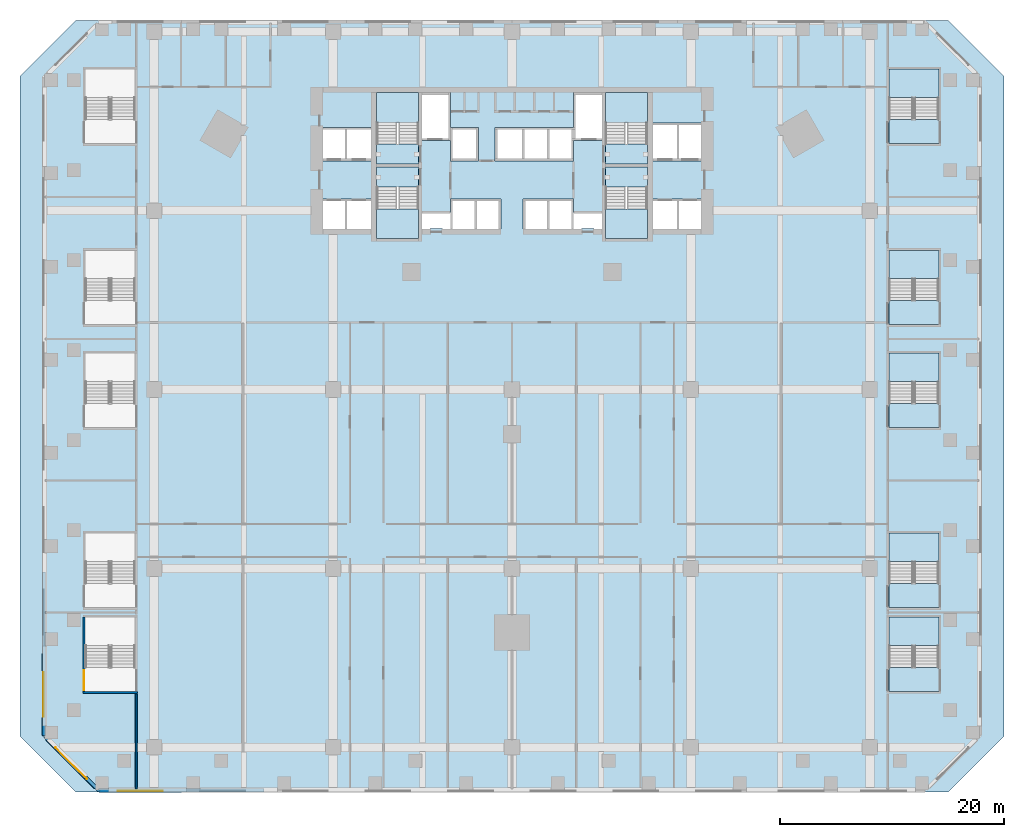
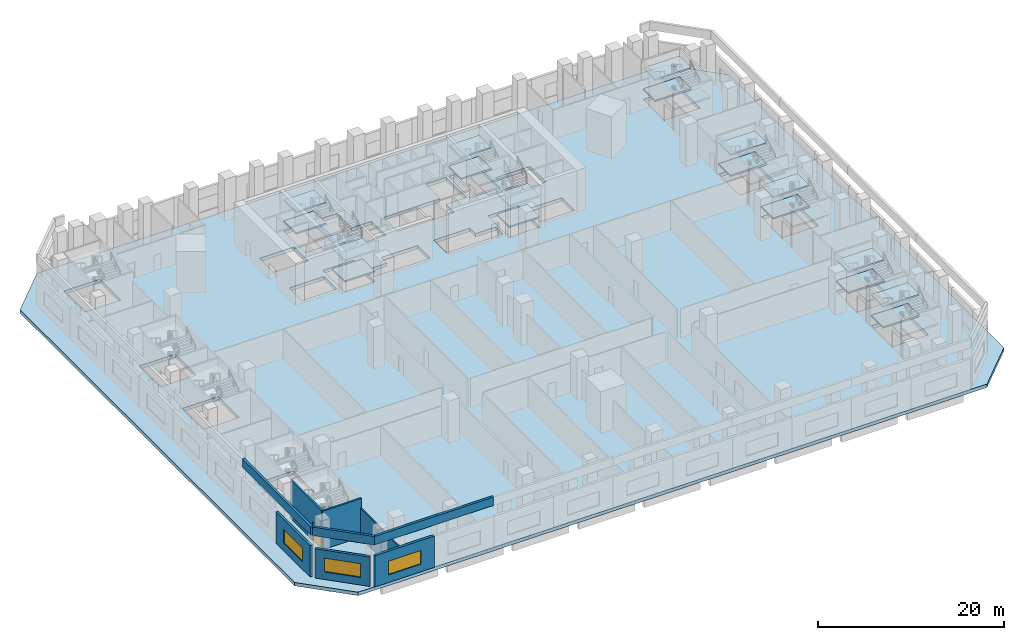
# One storey, part 3 of 22: 28 slabs, 9 walls, 3 windows, 1 door, 4 openings, 9 elements without a shape of their own.
"""IFC4 building model written with IfcOpenShell, lengths in metres."""

from ifc_helpers import new_model, si_unit, direction, frame, frame_2d, origin, place, context, subcontext, project, spatial, polyline, rectangle, outline, extrude, material, layer, layer_set, type_object, element, fill, aggregate, save


model = new_model("IFC4")

# Units and contexts
model_context = context("Model", 3, precision=1e-05, world=origin(), true_north=direction((0.0, 1.0)))
body_context = subcontext(model_context, "Body", "Model", "MODEL_VIEW")
ifc_project = project(units=[si_unit("LENGTHUNIT", "METRE"), si_unit("AREAUNIT", "SQUARE_METRE"), si_unit("VOLUMEUNIT", "CUBIC_METRE"), si_unit("PLANEANGLEUNIT", "RADIAN"), si_unit("MASSUNIT", "GRAM", prefix="KILO")], contexts=[model_context])

# Site, building, storey
site_placement = place(None, origin())
site = spatial("IfcSite", under=ifc_project, at=site_placement, CompositionType="ELEMENT")
building_placement = place(site_placement, origin())
building = spatial("IfcBuilding", under=site, at=building_placement, Name="Calabash Gate Tower", CompositionType="ELEMENT")
storey_placement = place(building_placement, frame((0.0, 0.0, 34.5)))
storey = spatial("IfcBuildingStorey", under=building, at=storey_placement, Name="L04", CompositionType="ELEMENT", Elevation=34.5)

# Slab
ifc_material_1 = material(Name="Concrete C40/50", Category="concrete")
ifc_layer_1 = layer(ifc_material_1, 0.449951171875)
ifc_layer_set_1 = layer_set([ifc_layer_1], Name="Reinforced concrete floor slab 450 Concrete C40/50")
slab_type_1 = type_object("IfcSlabType", Name="Reinforced concrete floor slab 450 Concrete C40/50", PredefinedType="FLOOR", material=ifc_layer_set_1)
slab_1_placement = place(storey_placement, frame((0.0, 0.0, -0.449951171875)))
element("IfcSlab", 1, at=slab_1_placement, inside=storey, type_object=slab_type_1, Name="Floor slab L04", PredefinedType="FLOOR", context=body_context, shape_type="SweptSolid", body=[
    extrude(outline(polyline([(39.0, -44.0), (37.0, -44.0), (-37.0, -44.0), (-39.0, -44.0), (-44.0, -39.0), (-44.0, 20.0), (-39.0, 25.0), (-37.0, 25.0), (37.0, 25.0), (39.0, 25.0), (44.0, 20.0), (44.0, -39.0), (39.0, -44.0)]), holes=[polyline([(-1.0, 6.3525390625), (-1.0, 9.052490234375), (-3.25, 9.052490234375), (-5.5, 9.052490234375), (-5.5, 7.8525390625), (-8.050048828125, 7.8525390625), (-8.050048828125, 6.3525390625), (-7.324951171875, 6.3525390625), (-7.324951171875, 6.402587890625), (-6.22509765625, 6.402587890625), (-6.22509765625, 6.3525390625), (-5.5, 6.3525390625), (-3.25, 6.3525390625), (-1.0, 6.3525390625)]), polyline([(8.050048828125, 6.3525390625), (8.050048828125, 7.8525390625), (5.5, 7.8525390625), (5.5, 9.052490234375), (3.25, 9.052490234375), (1.0, 9.052490234375), (1.0, 6.3525390625), (3.25, 6.3525390625), (5.5, 6.3525390625), (6.22509765625, 6.3525390625), (6.22509765625, 6.402587890625), (7.324951171875, 6.402587890625), (7.324951171875, 6.3525390625), (8.050048828125, 6.3525390625)]), polyline([(-3.0, 12.45263671875), (-3.0, 15.45263671875), (-5.5, 15.45263671875), (-5.5, 18.552490234375), (-8.050048828125, 18.552490234375), (-8.050048828125, 14.252685546875), (-5.5, 14.252685546875), (-5.5, 12.45263671875), (-3.0, 12.45263671875)]), polyline([(5.5, 14.252685546875), (8.050048828125, 14.252685546875), (8.050048828125, 18.552490234375), (5.5, 18.552490234375), (5.5, 15.45263671875), (3.25, 15.45263671875), (1.0, 15.45263671875), (-1.5, 15.45263671875), (-1.5, 12.45263671875), (1.0, 12.45263671875), (3.25, 12.45263671875), (5.5, 12.45263671875), (5.5, 14.252685546875)]), polyline([(-16.89990234375, 6.3525390625), (-14.85009765625, 6.3525390625), (-12.60009765625, 6.3525390625), (-12.60009765625, 9.052490234375), (-14.85009765625, 9.052490234375), (-16.89990234375, 9.052490234375), (-16.89990234375, 6.3525390625)]), polyline([(-16.89990234375, 15.45263671875), (-16.89990234375, 12.45263671875), (-14.85009765625, 12.45263671875), (-12.60009765625, 12.45263671875), (-12.60009765625, 15.45263671875), (-14.85009765625, 15.45263671875), (-16.89990234375, 15.45263671875)]), polyline([(12.60009765625, 9.052490234375), (12.60009765625, 6.3525390625), (14.85009765625, 6.3525390625), (16.89990234375, 6.3525390625), (16.89990234375, 9.052490234375), (14.85009765625, 9.052490234375), (12.60009765625, 9.052490234375)]), polyline([(12.60009765625, 15.8525390625), (12.60009765625, 12.45263671875), (14.85009765625, 12.45263671875), (16.89990234375, 12.45263671875), (16.89990234375, 15.8525390625), (14.85009765625, 15.8525390625), (12.60009765625, 15.8525390625)]), polyline([(-12.10009765625, 13.95263671875), (-8.35009765625, 13.95263671875), (-8.35009765625, 18.552490234375), (-12.10009765625, 18.552490234375), (-12.10009765625, 13.95263671875)]), polyline([(-8.35009765625, 5.502685546875), (-8.35009765625, 10.1025390625), (-12.10009765625, 10.1025390625), (-12.10009765625, 5.502685546875), (-8.35009765625, 5.502685546875)]), polyline([(12.10009765625, 18.552490234375), (8.35009765625, 18.552490234375), (8.35009765625, 13.95263671875), (12.10009765625, 13.95263671875), (12.10009765625, 18.552490234375)]), polyline([(8.35009765625, 10.1025390625), (8.35009765625, 5.502685546875), (12.10009765625, 5.502685546875), (12.10009765625, 10.1025390625), (8.35009765625, 10.1025390625)]), polyline([(-33.699951171875, -28.35009765625), (-38.169921875, -28.35009765625), (-38.169921875, -32.840087890625), (-33.699951171875, -32.840087890625), (-33.699951171875, -28.35009765625)]), polyline([(-33.699951171875, -25.340087890625), (-33.699951171875, -20.85009765625), (-38.169921875, -20.85009765625), (-38.169921875, -25.340087890625), (-33.699951171875, -25.340087890625)]), polyline([(-38.169921875, -9.239990234375), (-33.699951171875, -9.239990234375), (-33.699951171875, -4.75), (-38.169921875, -4.75), (-38.169921875, -9.239990234375)]), polyline([(-38.169921875, 4.449951171875), (-38.169921875, -0.0400390625), (-33.699951171875, -0.0400390625), (-33.699951171875, 4.449951171875), (-38.169921875, 4.449951171875)]), polyline([(-33.699951171875, 20.64990234375), (-38.169921875, 20.64990234375), (-38.169921875, 16.159912109375), (-33.699951171875, 16.159912109375), (-33.699951171875, 20.64990234375)]), polyline([(38.169921875, -32.840087890625), (38.169921875, -28.35009765625), (33.699951171875, -28.35009765625), (33.699951171875, -32.840087890625), (38.169921875, -32.840087890625)]), polyline([(33.699951171875, -25.340087890625), (38.169921875, -25.340087890625), (38.169921875, -20.85009765625), (33.699951171875, -20.85009765625), (33.699951171875, -25.340087890625)]), polyline([(33.699951171875, -4.75), (33.699951171875, -9.239990234375), (38.169921875, -9.239990234375), (38.169921875, -4.75), (33.699951171875, -4.75)]), polyline([(38.169921875, 4.449951171875), (33.699951171875, 4.449951171875), (33.699951171875, -0.0400390625), (38.169921875, -0.0400390625), (38.169921875, 4.449951171875)]), polyline([(38.169921875, 16.159912109375), (38.169921875, 20.64990234375), (33.699951171875, 20.64990234375), (33.699951171875, 16.159912109375), (38.169921875, 16.159912109375)])]), origin(), (0.0, 0.0, 1.0), 0.449951171875),
])

# Stair, slabs
ifc_material_2 = material(Name="Concrete C40/50", Category="concrete")
stair_type_1 = type_object("IfcStairType", Name="Exit stair 32 risers of 171.9 mm", PredefinedType="HALF_TURN_STAIR", material=ifc_material_2)
stair_1_placement = place(storey_placement, origin())
stair_1 = element("IfcStair", 2, at=stair_1_placement, inside=storey, type_object=stair_type_1, Name="L04 Exit stair ST1", PredefinedType="HALF_TURN_STAIR")
ifc_material_3 = material(Name="Concrete C40/50", Category="concrete")
ifc_layer_2 = layer(ifc_material_3, 0.199951171875)
ifc_layer_set_2 = layer_set([ifc_layer_2], Name="Stair landing SL200")
slab_type_2 = type_object("IfcSlabType", Name="Stair landing SL200", PredefinedType="LANDING", material=ifc_layer_set_2)
slab_2_placement = place(storey_placement, frame((0.0, 0.0, 1.175048828125)))
slab_2 = element("IfcSlab", 3, at=slab_2_placement, type_object=slab_type_2, Name="ST1 landing 1", PredefinedType="LANDING", context=body_context, shape_type="SweptSolid", body=[
    extrude(outline(polyline([(-8.35009765625, 15.905517578125), (-8.35009765625, 18.552490234375), (-12.10009765625, 18.552490234375), (-12.10009765625, 15.905517578125), (-8.35009765625, 15.905517578125)])), origin(), (0.0, 0.0, 1.0), 0.199951171875),
])
slab_3_placement = place(storey_placement, frame((0.0, 0.0, 2.550048828125)))
slab_3 = element("IfcSlab", 4, at=slab_3_placement, type_object=slab_type_2, Name="ST1 landing 2", PredefinedType="LANDING", context=body_context, shape_type="SweptSolid", body=[
    extrude(outline(polyline([(-8.35009765625, 12.152587890625), (-8.35009765625, 13.95263671875), (-12.10009765625, 13.95263671875), (-12.10009765625, 12.152587890625), (-8.35009765625, 12.152587890625)])), origin(), (0.0, 0.0, 1.0), 0.199951171875),
])
slab_4_placement = place(storey_placement, frame((0.0, 0.0, 3.925048828125)))
slab_4 = element("IfcSlab", 5, at=slab_4_placement, type_object=slab_type_2, Name="ST1 landing 3", PredefinedType="LANDING", context=body_context, shape_type="SweptSolid", body=[
    extrude(outline(polyline([(-8.35009765625, 15.905517578125), (-8.35009765625, 18.552490234375), (-12.10009765625, 18.552490234375), (-12.10009765625, 15.905517578125), (-8.35009765625, 15.905517578125)])), origin(), (0.0, 0.0, 1.0), 0.199951171875),
])
aggregate(stair_1, [slab_2, slab_3, slab_4])

stair_2_placement = place(storey_placement, origin())
stair_2 = element("IfcStair", 6, at=stair_2_placement, inside=storey, type_object=stair_type_1, Name="L04 Exit stair ST2", PredefinedType="HALF_TURN_STAIR")
slab_5_placement = place(storey_placement, frame((0.0, 0.0, 1.175048828125)))
slab_5 = element("IfcSlab", 7, at=slab_5_placement, type_object=slab_type_2, Name="ST2 landing 1", PredefinedType="LANDING", context=body_context, shape_type="SweptSolid", body=[
    extrude(outline(polyline([(-12.10009765625, 8.149658203125), (-12.10009765625, 5.502685546875), (-8.35009765625, 5.502685546875), (-8.35009765625, 8.149658203125), (-12.10009765625, 8.149658203125)])), origin(), (0.0, 0.0, 1.0), 0.199951171875),
])
slab_6_placement = place(storey_placement, frame((0.0, 0.0, 2.550048828125)))
slab_6 = element("IfcSlab", 8, at=slab_6_placement, type_object=slab_type_2, Name="ST2 landing 2", PredefinedType="LANDING", context=body_context, shape_type="SweptSolid", body=[
    extrude(outline(polyline([(-12.10009765625, 11.902587890625), (-12.10009765625, 10.1025390625), (-8.35009765625, 10.1025390625), (-8.35009765625, 11.902587890625), (-12.10009765625, 11.902587890625)])), origin(), (0.0, 0.0, 1.0), 0.199951171875),
])
slab_7_placement = place(storey_placement, frame((0.0, 0.0, 3.925048828125)))
slab_7 = element("IfcSlab", 9, at=slab_7_placement, type_object=slab_type_2, Name="ST2 landing 3", PredefinedType="LANDING", context=body_context, shape_type="SweptSolid", body=[
    extrude(outline(polyline([(-12.10009765625, 8.149658203125), (-12.10009765625, 5.502685546875), (-8.35009765625, 5.502685546875), (-8.35009765625, 8.149658203125), (-12.10009765625, 8.149658203125)])), origin(), (0.0, 0.0, 1.0), 0.199951171875),
])
aggregate(stair_2, [slab_5, slab_6, slab_7])

stair_3_placement = place(storey_placement, origin())
stair_3 = element("IfcStair", 10, at=stair_3_placement, inside=storey, type_object=stair_type_1, Name="L04 Exit stair ST3", PredefinedType="HALF_TURN_STAIR")
slab_8_placement = place(storey_placement, frame((0.0, 0.0, 1.175048828125)))
slab_8 = element("IfcSlab", 11, at=slab_8_placement, type_object=slab_type_2, Name="ST3 landing 1", PredefinedType="LANDING", context=body_context, shape_type="SweptSolid", body=[
    extrude(outline(polyline([(12.10009765625, 15.905517578125), (12.10009765625, 18.552490234375), (8.35009765625, 18.552490234375), (8.35009765625, 15.905517578125), (12.10009765625, 15.905517578125)])), origin(), (0.0, 0.0, 1.0), 0.199951171875),
])
slab_9_placement = place(storey_placement, frame((0.0, 0.0, 2.550048828125)))
slab_9 = element("IfcSlab", 12, at=slab_9_placement, type_object=slab_type_2, Name="ST3 landing 2", PredefinedType="LANDING", context=body_context, shape_type="SweptSolid", body=[
    extrude(outline(polyline([(12.10009765625, 12.152587890625), (12.10009765625, 13.95263671875), (8.35009765625, 13.95263671875), (8.35009765625, 12.152587890625), (12.10009765625, 12.152587890625)])), origin(), (0.0, 0.0, 1.0), 0.199951171875),
])
slab_10_placement = place(storey_placement, frame((0.0, 0.0, 3.925048828125)))
slab_10 = element("IfcSlab", 13, at=slab_10_placement, type_object=slab_type_2, Name="ST3 landing 3", PredefinedType="LANDING", context=body_context, shape_type="SweptSolid", body=[
    extrude(outline(polyline([(12.10009765625, 15.905517578125), (12.10009765625, 18.552490234375), (8.35009765625, 18.552490234375), (8.35009765625, 15.905517578125), (12.10009765625, 15.905517578125)])), origin(), (0.0, 0.0, 1.0), 0.199951171875),
])
aggregate(stair_3, [slab_8, slab_9, slab_10])

stair_4_placement = place(storey_placement, origin())
stair_4 = element("IfcStair", 14, at=stair_4_placement, inside=storey, type_object=stair_type_1, Name="L04 Exit stair ST4", PredefinedType="HALF_TURN_STAIR")
slab_11_placement = place(storey_placement, frame((0.0, 0.0, 1.175048828125)))
slab_11 = element("IfcSlab", 15, at=slab_11_placement, type_object=slab_type_2, Name="ST4 landing 1", PredefinedType="LANDING", context=body_context, shape_type="SweptSolid", body=[
    extrude(outline(polyline([(8.35009765625, 8.149658203125), (8.35009765625, 5.502685546875), (12.10009765625, 5.502685546875), (12.10009765625, 8.149658203125), (8.35009765625, 8.149658203125)])), origin(), (0.0, 0.0, 1.0), 0.199951171875),
])
slab_12_placement = place(storey_placement, frame((0.0, 0.0, 2.550048828125)))
slab_12 = element("IfcSlab", 16, at=slab_12_placement, type_object=slab_type_2, Name="ST4 landing 2", PredefinedType="LANDING", context=body_context, shape_type="SweptSolid", body=[
    extrude(outline(polyline([(8.35009765625, 11.902587890625), (8.35009765625, 10.1025390625), (12.10009765625, 10.1025390625), (12.10009765625, 11.902587890625), (8.35009765625, 11.902587890625)])), origin(), (0.0, 0.0, 1.0), 0.199951171875),
])
slab_13_placement = place(storey_placement, frame((0.0, 0.0, 3.925048828125)))
slab_13 = element("IfcSlab", 17, at=slab_13_placement, type_object=slab_type_2, Name="ST4 landing 3", PredefinedType="LANDING", context=body_context, shape_type="SweptSolid", body=[
    extrude(outline(polyline([(8.35009765625, 8.149658203125), (8.35009765625, 5.502685546875), (12.10009765625, 5.502685546875), (12.10009765625, 8.149658203125), (8.35009765625, 8.149658203125)])), origin(), (0.0, 0.0, 1.0), 0.199951171875),
])
aggregate(stair_4, [slab_11, slab_12, slab_13])

ifc_material_4 = material(Name="Concrete C40/50", Category="concrete")
stair_type_2 = type_object("IfcStairType", Name="Public stair 32 risers of 171.9 mm", PredefinedType="HALF_TURN_STAIR", material=ifc_material_4)
stair_5_placement = place(storey_placement, origin())
stair_5 = element("IfcStair", 18, at=stair_5_placement, inside=storey, type_object=stair_type_2, Name="L04 Public Stair PS6", PredefinedType="HALF_TURN_STAIR")
slab_14_placement = place(storey_placement, frame((0.0, 0.0, 1.175048828125)))
slab_14 = element("IfcSlab", 19, at=slab_14_placement, type_object=slab_type_2, Name="PS6 landing 1", PredefinedType="LANDING", context=body_context, shape_type="SweptSolid", body=[
    extrude(outline(polyline([(38.169921875, -30.886962890625), (38.169921875, -28.35009765625), (33.699951171875, -28.35009765625), (33.699951171875, -30.886962890625), (38.169921875, -30.886962890625)])), origin(), (0.0, 0.0, 1.0), 0.199951171875),
])
slab_15_placement = place(storey_placement, frame((0.0, 0.0, 2.550048828125)))
slab_15 = element("IfcSlab", 20, at=slab_15_placement, type_object=slab_type_2, Name="PS6 landing 2", PredefinedType="LANDING", context=body_context, shape_type="SweptSolid", body=[
    extrude(outline(polyline([(38.169921875, -35.0), (38.169921875, -32.840087890625), (33.699951171875, -32.840087890625), (33.699951171875, -35.0), (38.169921875, -35.0)])), origin(), (0.0, 0.0, 1.0), 0.199951171875),
])
slab_16_placement = place(storey_placement, frame((0.0, 0.0, 3.925048828125)))
slab_16 = element("IfcSlab", 21, at=slab_16_placement, type_object=slab_type_2, Name="PS6 landing 3", PredefinedType="LANDING", context=body_context, shape_type="SweptSolid", body=[
    extrude(outline(polyline([(38.169921875, -30.886962890625), (38.169921875, -28.35009765625), (33.699951171875, -28.35009765625), (33.699951171875, -30.886962890625), (38.169921875, -30.886962890625)])), origin(), (0.0, 0.0, 1.0), 0.199951171875),
])
aggregate(stair_5, [slab_14, slab_15, slab_16])

stair_6_placement = place(storey_placement, origin())
stair_6 = element("IfcStair", 22, at=stair_6_placement, inside=storey, type_object=stair_type_2, Name="L04 Public Stair PS7", PredefinedType="HALF_TURN_STAIR")
slab_17_placement = place(storey_placement, frame((0.0, 0.0, 1.175048828125)))
slab_17 = element("IfcSlab", 23, at=slab_17_placement, type_object=slab_type_2, Name="PS7 landing 1", PredefinedType="LANDING", context=body_context, shape_type="SweptSolid", body=[
    extrude(outline(polyline([(38.169921875, -23.386962890625), (38.169921875, -20.85009765625), (33.699951171875, -20.85009765625), (33.699951171875, -23.386962890625), (38.169921875, -23.386962890625)])), origin(), (0.0, 0.0, 1.0), 0.199951171875),
])
slab_18_placement = place(storey_placement, frame((0.0, 0.0, 2.550048828125)))
slab_18 = element("IfcSlab", 24, at=slab_18_placement, type_object=slab_type_2, Name="PS7 landing 2", PredefinedType="LANDING", context=body_context, shape_type="SweptSolid", body=[
    extrude(outline(polyline([(38.169921875, -27.5), (38.169921875, -25.340087890625), (33.699951171875, -25.340087890625), (33.699951171875, -27.5), (38.169921875, -27.5)])), origin(), (0.0, 0.0, 1.0), 0.199951171875),
])
slab_19_placement = place(storey_placement, frame((0.0, 0.0, 3.925048828125)))
slab_19 = element("IfcSlab", 25, at=slab_19_placement, type_object=slab_type_2, Name="PS7 landing 3", PredefinedType="LANDING", context=body_context, shape_type="SweptSolid", body=[
    extrude(outline(polyline([(38.169921875, -23.386962890625), (38.169921875, -20.85009765625), (33.699951171875, -20.85009765625), (33.699951171875, -23.386962890625), (38.169921875, -23.386962890625)])), origin(), (0.0, 0.0, 1.0), 0.199951171875),
])
aggregate(stair_6, [slab_17, slab_18, slab_19])

stair_7_placement = place(storey_placement, origin())
stair_7 = element("IfcStair", 26, at=stair_7_placement, inside=storey, type_object=stair_type_2, Name="L04 Public Stair PS8", PredefinedType="HALF_TURN_STAIR")
slab_20_placement = place(storey_placement, frame((0.0, 0.0, 1.175048828125)))
slab_20 = element("IfcSlab", 27, at=slab_20_placement, type_object=slab_type_2, Name="PS8 landing 1", PredefinedType="LANDING", context=body_context, shape_type="SweptSolid", body=[
    extrude(outline(polyline([(38.169921875, -7.287109375), (38.169921875, -4.75), (33.699951171875, -4.75), (33.699951171875, -7.287109375), (38.169921875, -7.287109375)])), origin(), (0.0, 0.0, 1.0), 0.199951171875),
])
slab_21_placement = place(storey_placement, frame((0.0, 0.0, 2.550048828125)))
slab_21 = element("IfcSlab", 28, at=slab_21_placement, type_object=slab_type_2, Name="PS8 landing 2", PredefinedType="LANDING", context=body_context, shape_type="SweptSolid", body=[
    extrude(outline(polyline([(38.169921875, -11.39990234375), (38.169921875, -9.239990234375), (33.699951171875, -9.239990234375), (33.699951171875, -11.39990234375), (38.169921875, -11.39990234375)])), origin(), (0.0, 0.0, 1.0), 0.199951171875),
])
slab_22_placement = place(storey_placement, frame((0.0, 0.0, 3.925048828125)))
slab_22 = element("IfcSlab", 29, at=slab_22_placement, type_object=slab_type_2, Name="PS8 landing 3", PredefinedType="LANDING", context=body_context, shape_type="SweptSolid", body=[
    extrude(outline(polyline([(38.169921875, -7.287109375), (38.169921875, -4.75), (33.699951171875, -4.75), (33.699951171875, -7.287109375), (38.169921875, -7.287109375)])), origin(), (0.0, 0.0, 1.0), 0.199951171875),
])
aggregate(stair_7, [slab_20, slab_21, slab_22])

stair_8_placement = place(storey_placement, origin())
stair_8 = element("IfcStair", 30, at=stair_8_placement, inside=storey, type_object=stair_type_2, Name="L04 Public Stair PS9", PredefinedType="HALF_TURN_STAIR")
slab_23_placement = place(storey_placement, frame((0.0, 0.0, 1.175048828125)))
slab_23 = element("IfcSlab", 31, at=slab_23_placement, type_object=slab_type_2, Name="PS9 landing 1", PredefinedType="LANDING", context=body_context, shape_type="SweptSolid", body=[
    extrude(outline(polyline([(38.169921875, 1.9130859375), (38.169921875, 4.449951171875), (33.699951171875, 4.449951171875), (33.699951171875, 1.9130859375), (38.169921875, 1.9130859375)])), origin(), (0.0, 0.0, 1.0), 0.199951171875),
])
slab_24_placement = place(storey_placement, frame((0.0, 0.0, 2.550048828125)))
slab_24 = element("IfcSlab", 32, at=slab_24_placement, type_object=slab_type_2, Name="PS9 landing 2", PredefinedType="LANDING", context=body_context, shape_type="SweptSolid", body=[
    extrude(outline(polyline([(38.169921875, -2.199951171875), (38.169921875, -0.0400390625), (33.699951171875, -0.0400390625), (33.699951171875, -2.199951171875), (38.169921875, -2.199951171875)])), origin(), (0.0, 0.0, 1.0), 0.199951171875),
])
slab_25_placement = place(storey_placement, frame((0.0, 0.0, 3.925048828125)))
slab_25 = element("IfcSlab", 33, at=slab_25_placement, type_object=slab_type_2, Name="PS9 landing 3", PredefinedType="LANDING", context=body_context, shape_type="SweptSolid", body=[
    extrude(outline(polyline([(38.169921875, 1.9130859375), (38.169921875, 4.449951171875), (33.699951171875, 4.449951171875), (33.699951171875, 1.9130859375), (38.169921875, 1.9130859375)])), origin(), (0.0, 0.0, 1.0), 0.199951171875),
])
aggregate(stair_8, [slab_23, slab_24, slab_25])

stair_9_placement = place(storey_placement, origin())
stair_9 = element("IfcStair", 34, at=stair_9_placement, inside=storey, type_object=stair_type_2, Name="L04 Public Stair PS10", PredefinedType="HALF_TURN_STAIR")
slab_26_placement = place(storey_placement, frame((0.0, 0.0, 1.175048828125)))
slab_26 = element("IfcSlab", 35, at=slab_26_placement, type_object=slab_type_2, Name="PS10 landing 1", PredefinedType="LANDING", context=body_context, shape_type="SweptSolid", body=[
    extrude(outline(polyline([(38.169921875, 18.113037109375), (38.169921875, 20.64990234375), (33.699951171875, 20.64990234375), (33.699951171875, 18.113037109375), (38.169921875, 18.113037109375)])), origin(), (0.0, 0.0, 1.0), 0.199951171875),
])
slab_27_placement = place(storey_placement, frame((0.0, 0.0, 2.550048828125)))
slab_27 = element("IfcSlab", 36, at=slab_27_placement, type_object=slab_type_2, Name="PS10 landing 2", PredefinedType="LANDING", context=body_context, shape_type="SweptSolid", body=[
    extrude(outline(polyline([(38.169921875, 14.0), (38.169921875, 16.159912109375), (33.699951171875, 16.159912109375), (33.699951171875, 14.0), (38.169921875, 14.0)])), origin(), (0.0, 0.0, 1.0), 0.199951171875),
])
slab_28_placement = place(storey_placement, frame((0.0, 0.0, 3.925048828125)))
slab_28 = element("IfcSlab", 37, at=slab_28_placement, type_object=slab_type_2, Name="PS10 landing 3", PredefinedType="LANDING", context=body_context, shape_type="SweptSolid", body=[
    extrude(outline(polyline([(38.169921875, 18.113037109375), (38.169921875, 20.64990234375), (33.699951171875, 20.64990234375), (33.699951171875, 18.113037109375), (38.169921875, 18.113037109375)])), origin(), (0.0, 0.0, 1.0), 0.199951171875),
])
aggregate(stair_9, [slab_26, slab_27, slab_28])

# Wall
ifc_material_5 = material(Name="Gypsum board on steel studs, mineral wool", Category="steel")
ifc_layer_3 = layer(ifc_material_5, 0.14990234375)
ifc_layer_set_3 = layer_set([ifc_layer_3], Name="Partition 150 gypsum board")
wall_type_1 = type_object("IfcWallType", Name="Partition 150 gypsum board", PredefinedType="PARTITIONING", material=ifc_layer_set_3)
wall_1_placement = place(storey_placement, frame((-33.60009765625, -43.719970703125, 0.0), z_axis=(0.0, 0.0, 1.0), x_axis=(0.0, 1.0, 0.0)))
element("IfcWall", 38, at=wall_1_placement, inside=storey, type_object=wall_type_1, Name="Partition", PredefinedType="PARTITIONING", context=body_context, shape_type="SweptSolid", body=[
    extrude(rectangle(XDim=8.47998046875, YDim=0.14990234375, at=frame_2d((4.239990234375, 0.0))), origin(), (0.0, 0.0, 1.0), 3.85009765625),
])

# Wall, opening, window
ifc_material_6 = material(Name="Terracotta brick masonry, exposed face", Category="masonry")
ifc_layer_4 = layer(ifc_material_6, 0.300048828125)
ifc_layer_set_4 = layer_set([ifc_layer_4], Name="Podium brick wall 300")
wall_type_2 = type_object("IfcWallType", Name="Podium brick wall 300", PredefinedType="SOLIDWALL", material=ifc_layer_set_4)
wall_2_placement = place(storey_placement, frame((-36.949951171875, -43.89990234375, 0.0), z_axis=(0.0, 0.0, 1.0), x_axis=(1.0, 0.0, 0.0)))
wall_2 = element("IfcWall", 39, at=wall_2_placement, inside=storey, type_object=wall_type_2, Name="Podium brick wall L04 0.0.0", PredefinedType="SOLIDWALL", context=body_context, shape_type="SweptSolid", body=[
    extrude(rectangle(XDim=7.389892578125, YDim=0.300048828125, at=frame_2d((3.69482421875, 0.0))), origin(), (0.0, 0.0, 1.0), 4.10009765625),
])
opening_1_placement = place(wall_2_placement, frame((1.695068359375, 0.0, 1.0)))
opening_1 = element("IfcOpeningElement", 40, at=opening_1_placement, cuts=wall_2, Name="Opening WM1", PredefinedType="OPENING", context=body_context, shape_type="SweptSolid", body=[
    extrude(rectangle(XDim=4.0, YDim=1.800048828125, at=frame_2d((2.0, 0.89990234375))), frame((0.0, 0.159912109375, 0.0), z_axis=(0.0, -1.0, 0.0), x_axis=(1.0, 0.0, 0.0)), (0.0, 0.0, 1.0), 0.320068359375),
])
ifc_material_7 = material(Name="Anodised aluminium frame, bronze finish, impact-rated laminated clear glazing", Category="aluminium")
window_type = type_object("IfcWindowType", Name="Window WM1 4000x1800", PartitioningType="TRIPLE_PANEL_VERTICAL", PredefinedType="WINDOW", material=ifc_material_7)
window_1_placement = place(opening_1_placement, origin())
window_1 = element("IfcWindow", 41, at=window_1_placement, inside=storey, type_object=window_type, Name="Meeting room window L04 0.0.0", OverallHeight=1.800048828125, OverallWidth=4.0, PartitioningType="SINGLE_PANEL", PredefinedType="WINDOW", context=body_context, shape_type="SweptSolid", body=[
    extrude(rectangle(XDim=4.0, YDim=1.800048828125, at=frame_2d((2.0, 0.89990234375))), frame((0.0, 0.030029296875, 0.0), z_axis=(0.0, -1.0, 0.0), x_axis=(1.0, 0.0, 0.0)), (0.0, 0.0, 1.0), 0.06005859375),
])
fill(opening_1, window_1)

wall_3_placement = place(storey_placement, frame((-41.89990234375, -31.58740234375, 0.0), z_axis=(0.0, 0.0, 1.0), x_axis=(0.0, -1.0, 0.0)))
wall_3 = element("IfcWall", 42, at=wall_3_placement, inside=storey, type_object=wall_type_2, Name="Podium brick wall L04 6.0.7", PredefinedType="SOLIDWALL", context=body_context, shape_type="SweptSolid", body=[
    extrude(rectangle(XDim=7.362548828125, YDim=0.300048828125, at=frame_2d((3.68115234375, 0.0))), origin(), (0.0, 0.0, 1.0), 4.10009765625),
])
opening_2_placement = place(wall_3_placement, frame((1.68115234375, 0.0, 1.0)))
opening_2 = element("IfcOpeningElement", 43, at=opening_2_placement, cuts=wall_3, Name="Opening WM1", PredefinedType="OPENING", context=body_context, shape_type="SweptSolid", body=[
    extrude(rectangle(XDim=4.0, YDim=1.800048828125, at=frame_2d((2.0, 0.89990234375))), frame((0.0, 0.159912109375, 0.0), z_axis=(0.0, -1.0, 0.0), x_axis=(1.0, 0.0, 0.0)), (0.0, 0.0, 1.0), 0.320068359375),
])
window_2_placement = place(opening_2_placement, origin())
window_2 = element("IfcWindow", 44, at=window_2_placement, inside=storey, type_object=window_type, Name="Meeting room window L04 6.0.7", OverallHeight=1.800048828125, OverallWidth=4.0, PartitioningType="SINGLE_PANEL", PredefinedType="WINDOW", context=body_context, shape_type="SweptSolid", body=[
    extrude(rectangle(XDim=4.0, YDim=1.800048828125, at=frame_2d((2.0, 0.89990234375))), frame((0.0, 0.030029296875, 0.0), z_axis=(0.0, -1.0, 0.0), x_axis=(1.0, 0.0, 0.0)), (0.0, 0.0, 1.0), 0.06005859375),
])
fill(opening_2, window_2)

wall_4_placement = place(storey_placement, frame((-41.587646484375, -39.27099609375, 0.0), z_axis=(0.0, 0.0, 1.0), x_axis=(0.707106781187, -0.707106781187, 0.0)))
wall_4 = element("IfcWall", 45, at=wall_4_placement, inside=storey, type_object=wall_type_2, Name="Podium brick wall L04 7.0.0", PredefinedType="SOLIDWALL", context=body_context, shape_type="SweptSolid", body=[
    extrude(rectangle(XDim=6.104736328125, YDim=0.300048828125, at=frame_2d((3.05224609375, 0.0))), origin(), (0.0, 0.0, 1.0), 3.85009765625),
])
opening_3_placement = place(wall_4_placement, frame((1.05224609375, 0.0, 1.0)))
opening_3 = element("IfcOpeningElement", 46, at=opening_3_placement, cuts=wall_4, Name="Opening WM1", PredefinedType="OPENING", context=body_context, shape_type="SweptSolid", body=[
    extrude(rectangle(XDim=4.0, YDim=1.800048828125, at=frame_2d((2.0, 0.89990234375))), frame((0.0, 0.159912109375, 0.0), z_axis=(0.0, -1.0, 0.0), x_axis=(1.0, 0.0, 0.0)), (0.0, 0.0, 1.0), 0.320068359375),
])
window_3_placement = place(opening_3_placement, origin())
window_3 = element("IfcWindow", 47, at=window_3_placement, inside=storey, type_object=window_type, Name="Meeting room window L04 7.0.0", OverallHeight=1.800048828125, OverallWidth=4.0, PartitioningType="SINGLE_PANEL", PredefinedType="WINDOW", context=body_context, shape_type="SweptSolid", body=[
    extrude(rectangle(XDim=4.0, YDim=1.800048828125, at=frame_2d((2.0, 0.89990234375))), frame((0.0, 0.030029296875, 0.0), z_axis=(0.0, -1.0, 0.0), x_axis=(1.0, 0.0, 0.0)), (0.0, 0.0, 1.0), 0.06005859375),
])
fill(opening_3, window_3)

# Walls
ifc_material_8 = material(Name="Terracotta brick masonry, exposed face", Category="masonry")
ifc_layer_5 = layer(ifc_material_8, 0.300048828125)
ifc_layer_set_5 = layer_set([ifc_layer_5], Name="Podium parapet wall 300")
wall_type_3 = type_object("IfcWallType", Name="Podium parapet wall 300", PredefinedType="PARAPET", material=ifc_layer_set_5)
wall_5_placement = place(storey_placement, frame((-37.0, -43.85009765625, 5.5), z_axis=(0.0, 0.0, 1.0), x_axis=(1.0, 0.0, 0.0)))
element("IfcWall", 48, at=wall_5_placement, inside=storey, type_object=wall_type_3, Name="Podium parapet L04 0.0.0", PredefinedType="PARAPET", context=body_context, shape_type="SweptSolid", body=[
    extrude(rectangle(XDim=14.800048828125, YDim=0.300048828125, at=frame_2d((7.39990234375, 0.0))), origin(), (0.0, 0.0, 1.0), 1.10009765625),
])
wall_6_placement = place(storey_placement, frame((-41.85009765625, -24.302490234375, 5.5), z_axis=(0.0, 0.0, 1.0), x_axis=(0.0, -1.0, 0.0)))
element("IfcWall", 49, at=wall_6_placement, inside=storey, type_object=wall_type_3, Name="Podium parapet L04 6.0.3", PredefinedType="PARAPET", context=body_context, shape_type="SweptSolid", body=[
    extrude(rectangle(XDim=14.697509765625, YDim=0.300048828125, at=frame_2d((7.3486328125, 0.0))), origin(), (0.0, 0.0, 1.0), 1.10009765625),
])
wall_7_placement = place(storey_placement, frame((-41.745361328125, -39.04248046875, 5.5), z_axis=(0.0, 0.0, 1.0), x_axis=(0.70708898898, -0.707124572946, 0.0)))
element("IfcWall", 50, at=wall_7_placement, inside=storey, type_object=wall_type_3, Name="Podium parapet L04 7.0.0", PredefinedType="PARAPET", context=body_context, shape_type="SweptSolid", body=[
    extrude(rectangle(XDim=6.861083984375, YDim=0.300048828125, at=frame_2d((3.4306640625, 0.0))), origin(), (0.0, 0.0, 1.0), 1.10009765625),
])
ifc_material_9 = material(Name="Concrete C40/50", Category="concrete")
ifc_layer_6 = layer(ifc_material_9, 0.199951171875)
ifc_layer_set_6 = layer_set([ifc_layer_6], Name="Stair wall 200 Concrete C40/50")
wall_type_4 = type_object("IfcWallType", Name="Stair wall 200 Concrete C40/50", PredefinedType="SOLIDWALL", material=ifc_layer_set_6)
wall_8_placement = place(storey_placement, frame((-38.3701171875, -35.10009765625, 0.0), z_axis=(0.0, 0.0, 1.0), x_axis=(1.0, 0.0, 0.0)))
element("IfcWall", 51, at=wall_8_placement, inside=storey, type_object=wall_type_4, Name="Stair wall", PredefinedType="SOLIDWALL", context=body_context, shape_type="SweptSolid", body=[
    extrude(rectangle(XDim=4.8701171875, YDim=0.199951171875, at=frame_2d((2.43505859375, 0.0))), origin(), (0.0, 0.0, 1.0), 5.050048828125),
])

# Wall, opening, door
wall_9_placement = place(storey_placement, frame((-38.27001953125, -35.0, 0.0), z_axis=(0.0, 0.0, 1.0), x_axis=(0.0, 1.0, 0.0)))
wall_9 = element("IfcWall", 52, at=wall_9_placement, inside=storey, type_object=wall_type_4, Name="Stair wall", PredefinedType="SOLIDWALL", context=body_context, shape_type="SweptSolid", body=[
    extrude(rectangle(XDim=6.64990234375, YDim=0.199951171875, at=frame_2d((3.324951171875, 0.0))), origin(), (0.0, 0.0, 1.0), 5.050048828125),
])
opening_4_placement = place(wall_9_placement, frame((0.10009765625, 0.0, 0.0)))
opening_4 = element("IfcOpeningElement", 53, at=opening_4_placement, cuts=wall_9, Name="Opening L04-021", PredefinedType="OPENING", context=body_context, shape_type="SweptSolid", body=[
    extrude(rectangle(XDim=1.800048828125, YDim=2.39990234375, at=frame_2d((0.89990234375, 1.199951171875))), frame((0.0, 0.10986328125, 0.0), z_axis=(0.0, -1.0, 0.0), x_axis=(1.0, 0.0, 0.0)), (0.0, 0.0, 1.0), 0.219970703125),
])
ifc_material_10 = material(Name="Steel fire door set with fire-resisting glazing", Category="steel")
door_type = type_object("IfcDoorType", Name="Double fire door D16 1800x2400 FD90", OperationType="DOUBLE_DOOR_SINGLE_SWING", PredefinedType="DOOR", material=ifc_material_10)
door_placement = place(opening_4_placement, origin())
door = element("IfcDoor", 54, at=door_placement, inside=storey, type_object=door_type, Name="Exit stair door PS1", OperationType="DOUBLE_DOOR_SINGLE_SWING", OverallHeight=2.39990234375, OverallWidth=1.800048828125, PredefinedType="DOOR", context=body_context, shape_type="SweptSolid", body=[
    extrude(rectangle(XDim=1.800048828125, YDim=2.39990234375, at=frame_2d((0.89990234375, 1.199951171875))), frame((0.0, 0.02490234375, 0.0), z_axis=(0.0, -1.0, 0.0), x_axis=(1.0, 0.0, 0.0)), (0.0, 0.0, 1.0), 0.050048828125),
])
fill(opening_4, door)

save(model, "model.ifc")
